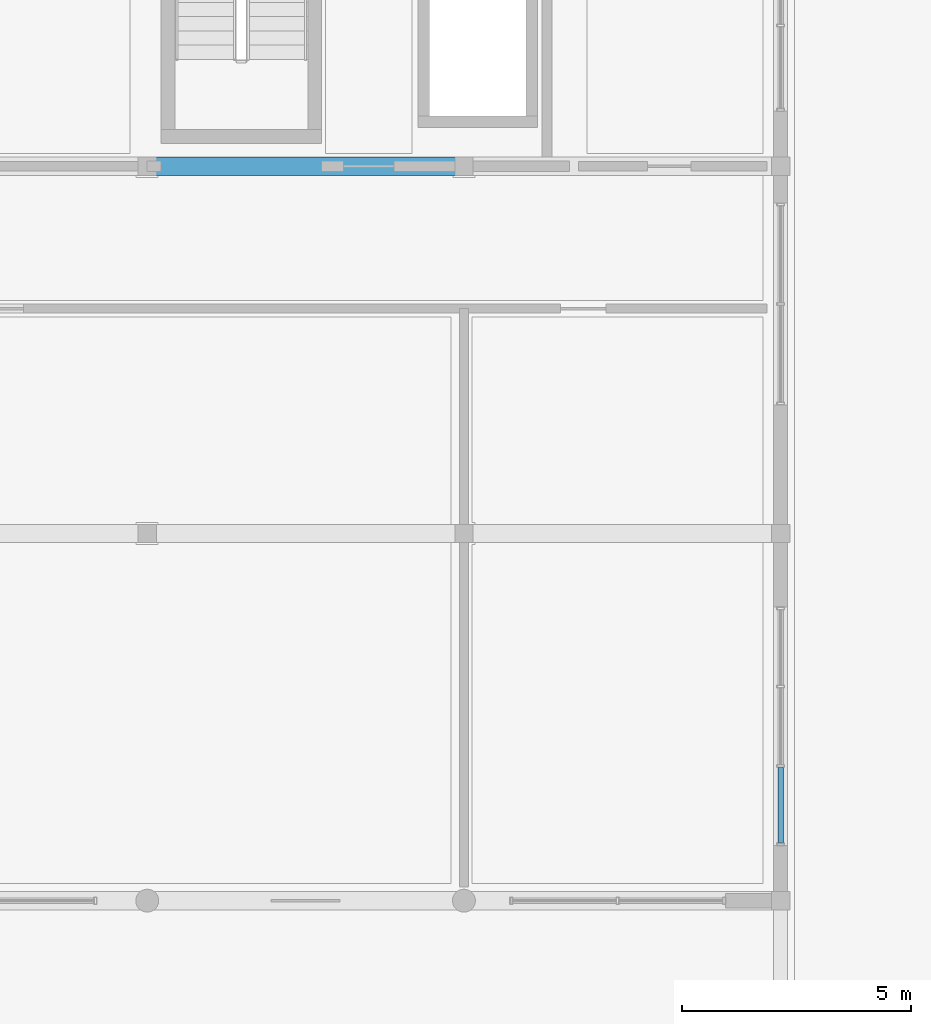
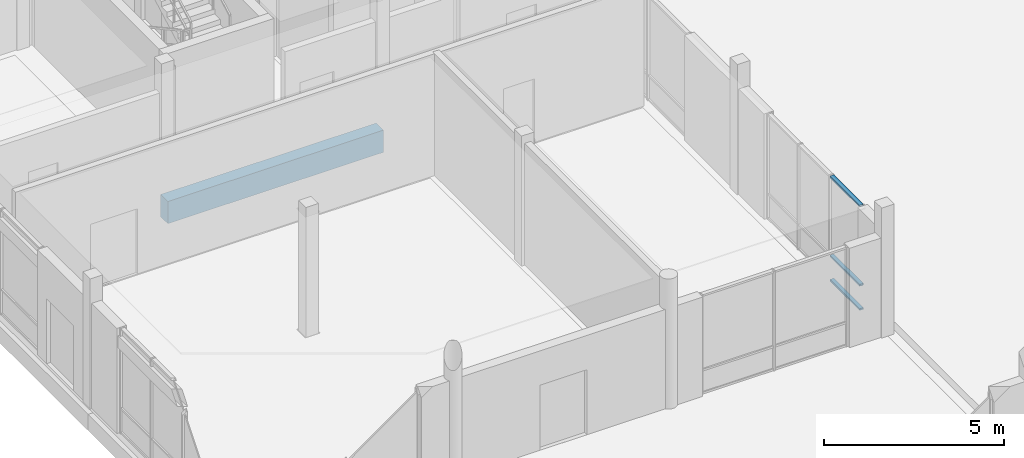
# One storey, part 86 of 233: 3 members, 1 beam, 1 element without a shape of its own.
"""IFC4 building model written with IfcOpenShell, lengths in metres."""

from ifc_helpers import new_model, si_unit, direction, frame, origin, origin_2d, place, context, subcontext, project, spatial, rectangle, hollow_rectangle, extrude, material, material_profile, profile_set, type_object, element, aggregate, save


model = new_model("IFC4")

# Units and contexts
model_context = context("Model", 3, precision=1e-05, world=origin(), true_north=direction((0.0, 1.0)))
body_context = subcontext(model_context, "Body", "Model", "MODEL_VIEW")
ifc_project = project(units=[si_unit("LENGTHUNIT", "METRE"), si_unit("AREAUNIT", "SQUARE_METRE"), si_unit("VOLUMEUNIT", "CUBIC_METRE"), si_unit("PLANEANGLEUNIT", "RADIAN"), si_unit("MASSUNIT", "GRAM", prefix="KILO")], contexts=[model_context])

# Site, building, storey
site_placement = place(None, origin())
site = spatial("IfcSite", under=ifc_project, at=site_placement, CompositionType="ELEMENT")
building_placement = place(site_placement, origin())
building = spatial("IfcBuilding", under=site, at=building_placement, Name="Zavelmont Quarter", CompositionType="ELEMENT")
storey_placement = place(building_placement, origin())
storey = spatial("IfcBuildingStorey", under=building, at=storey_placement, Name="L00", CompositionType="ELEMENT", Elevation=0.0)

# Beam
ifc_material_1 = material(Name="Concrete C40/50", Category="concrete")
ifc_material_profile_1 = material_profile(ifc_material_1, rectangle(XDim=0.39990234375, YDim=0.75, at=origin_2d()), Name="RC400X750")
ifc_profile_set_1 = profile_set([ifc_material_profile_1], Name="Concrete C40/50")
beam_type = type_object("IfcBeamType", Name="BM05", PredefinedType="BEAM", material=ifc_profile_set_1)
beam_placement = place(storey_placement, frame((6.89990234375, 78.0, -0.695068359375), z_axis=(1.0, 0.0, 0.0), x_axis=(0.0, 1.0, 0.0)))
element("IfcBeam", 1, at=beam_placement, inside=storey, type_object=beam_type, Name="L00 beam BM05 2/M to 3/M", PredefinedType="BEAM", context=body_context, shape_type="SweptSolid", body=[
    extrude(rectangle(XDim=0.39990234375, YDim=0.75, at=origin_2d()), origin(), (0.0, 0.0, 1.0), 6.900146484375),
])

# Curtain wall, members
ifc_material_2 = material(Name="Thermally broken aluminium and double low-E safety glazing", Category="aluminium")
curtain_wall_type = type_object("IfcCurtainWallType", Name="CW-520X356", PredefinedType="NOTDEFINED", material=ifc_material_2)
curtain_wall_placement = place(storey_placement, origin())
curtain_wall = element("IfcCurtainWall", 2, at=curtain_wall_placement, inside=storey, type_object=curtain_wall_type, Name="L00 unitised curtain wall CW-520X356", PredefinedType="NOTDEFINED")
ifc_material_3 = material(Name="Powder-coated aluminium EN AW-6063-T6", Category="aluminium")
ifc_material_profile_2 = material_profile(ifc_material_3, hollow_rectangle(XDim=0.1201171875, YDim=0.06005859375, WallThickness=0.00390625, at=origin_2d()), Name="CWT60X120")
ifc_profile_set_2 = profile_set([ifc_material_profile_2], Name="Powder-coated aluminium EN AW-6063-T6")
member_type = type_object("IfcMemberType", Name="CWT01", PredefinedType="NOTDEFINED", material=ifc_profile_set_2)
member_1_placement = place(storey_placement, frame((20.699951171875, 63.260009765625, 0.030029296875), z_axis=(0.0, 1.0, 0.0), x_axis=(-1.0, 0.0, 0.0)))
member_1 = element("IfcMember", 3, at=member_1_placement, type_object=member_type, Name="CW-520X356 transom 1.1", ObjectType="TRANSOM", PredefinedType="USERDEFINED", context=body_context, shape_type="SweptSolid", body=[
    extrude(hollow_rectangle(XDim=0.1201171875, YDim=0.06005859375, WallThickness=0.00390625, at=origin_2d()), origin(), (0.0, 0.0, 1.0), 1.643310546875),
])
member_2_placement = place(storey_placement, frame((20.699951171875, 63.260009765625, 0.85009765625), z_axis=(0.0, 1.0, 0.0), x_axis=(-1.0, 0.0, 0.0)))
member_2 = element("IfcMember", 4, at=member_2_placement, type_object=member_type, Name="CW-520X356 transom 1.2", ObjectType="TRANSOM", PredefinedType="USERDEFINED", context=body_context, shape_type="SweptSolid", body=[
    extrude(hollow_rectangle(XDim=0.1201171875, YDim=0.06005859375, WallThickness=0.00390625, at=origin_2d()), origin(), (0.0, 0.0, 1.0), 1.643310546875),
])
member_3_placement = place(storey_placement, frame((20.699951171875, 63.260009765625, 3.530029296875), z_axis=(0.0, 1.0, 0.0), x_axis=(-1.0, 0.0, 0.0)))
member_3 = element("IfcMember", 5, at=member_3_placement, type_object=member_type, Name="CW-520X356 transom 1.3", ObjectType="TRANSOM", PredefinedType="USERDEFINED", context=body_context, shape_type="SweptSolid", body=[
    extrude(hollow_rectangle(XDim=0.1201171875, YDim=0.06005859375, WallThickness=0.00390625, at=origin_2d()), origin(), (0.0, 0.0, 1.0), 1.643310546875),
])
aggregate(curtain_wall, [member_1, member_2, member_3])

save(model, "model.ifc")
